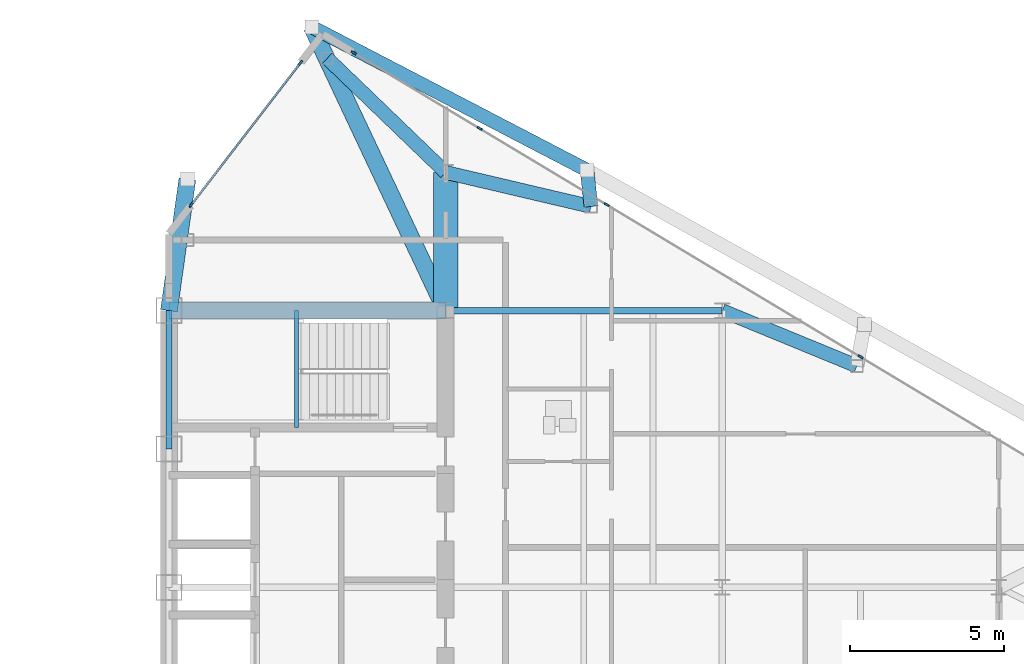
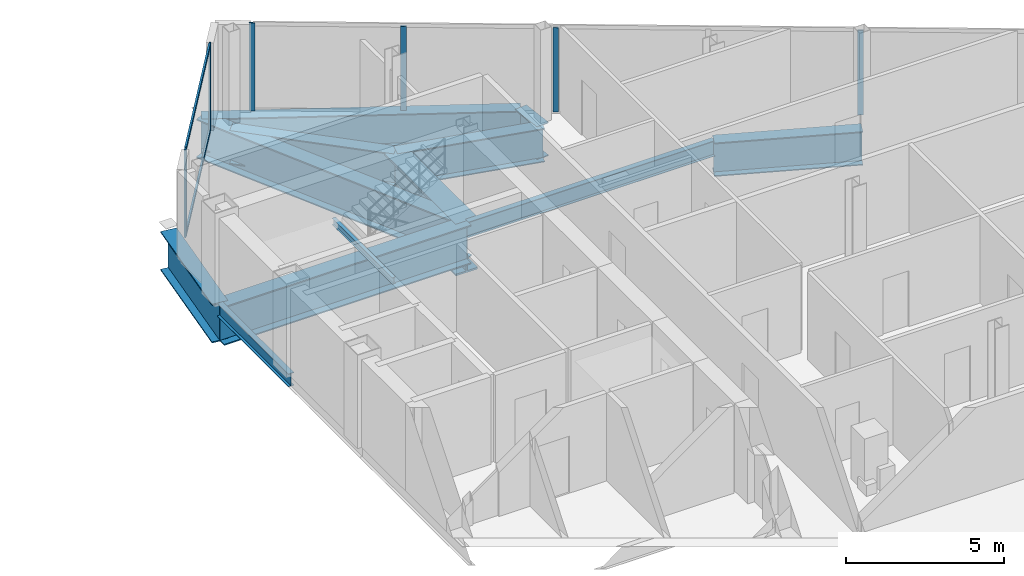
# One storey, part 17 of 29: 12 beams, 8 members, 2 elements without a shape of their own.
"""IFC4 building model written with IfcOpenShell, lengths in metres."""

from ifc_helpers import new_model, si_unit, direction, frame, origin, origin_2d, place, context, subcontext, project, spatial, rectangle, i_section, extrude, source, transform, mapped, material, layer, layer_set, material_profile, profile_set, type_object, type_shapes, element, aggregate, save


model = new_model("IFC4")

# Units and contexts
model_context = context("Model", 3, precision=1e-05, world=origin(), true_north=direction((0.0, 1.0)))
body_context = subcontext(model_context, "Body", "Model", "MODEL_VIEW")
ifc_project = project(units=[si_unit("LENGTHUNIT", "METRE"), si_unit("AREAUNIT", "SQUARE_METRE"), si_unit("VOLUMEUNIT", "CUBIC_METRE"), si_unit("PLANEANGLEUNIT", "RADIAN"), si_unit("MASSUNIT", "GRAM", prefix="KILO")], contexts=[model_context])

# Site, building, storey
site_placement = place(None, origin())
site = spatial("IfcSite", under=ifc_project, at=site_placement, CompositionType="ELEMENT")
building_placement = place(site_placement, origin())
building = spatial("IfcBuilding", under=site, at=building_placement, Name="Seokmaru Belvedere", CompositionType="ELEMENT")
storey_placement = place(building_placement, frame((0.0, 0.0, 195.89990234375)))
storey = spatial("IfcBuildingStorey", under=building, at=storey_placement, Name="L52", CompositionType="ELEMENT", Elevation=195.89990234375)

# Beams
ifc_material_1 = material(Name="Steel SM355 (355 MPa)", Category="steel")
ifc_material_profile_1 = material_profile(ifc_material_1, i_section(OverallWidth=0.199951171875, OverallDepth=0.5, WebThickness=0.010009765625, FlangeThickness=0.01611328125, at=origin_2d()), Name="H-500x200x10x16")
ifc_profile_set_1 = profile_set([ifc_material_profile_1], Name="Steel SM355 (355 MPa)")
beam_type_1 = type_object("IfcBeamType", Name="Perimeter Spandrel Beam H-500", PredefinedType="SPANDREL", material=ifc_profile_set_1)
shared_shape_1 = source(origin(), body_context, "Body", "SweptSolid", [
    extrude(i_section(OverallWidth=0.199951171875, OverallDepth=0.5, WebThickness=0.010009765625, FlangeThickness=0.01611328125, at=origin_2d()), origin(), (0.0, 0.0, 1.0), 4.5),
])
type_shapes(beam_type_1, [shared_shape_1])
beam_1_placement = place(storey_placement, frame((27.5, 9.0, -0.469970703125), z_axis=(0.0, 1.0, 0.0), x_axis=(-1.0, 0.0, 0.0)))
element("IfcBeam", 1, at=beam_1_placement, inside=storey, type_object=beam_type_1, Name="L52 E Portal Spine Spandrel 5", PredefinedType="SPANDREL", context=body_context, shape_type="MappedRepresentation", body=[
    mapped(shared_shape_1, transform((0.0, 0.0, 0.0), scale=1.0)),
])
ifc_material_2 = material(Name="Steel HSA650 (650 MPa)", Category="steel")
ifc_material_profile_2 = material_profile(ifc_material_2, i_section(OverallWidth=0.800048828125, OverallDepth=2.0, WebThickness=0.0400390625, FlangeThickness=0.070068359375, at=origin_2d()), Name="BH-2000x800x40x70")
ifc_profile_set_2 = profile_set([ifc_material_profile_2], Name="Steel HSA650 (650 MPa)")
beam_type_2 = type_object("IfcBeamType", Name="Sky-Gate Transfer Truss Chord Girder BH-2000", PredefinedType="BEAM", material=ifc_profile_set_2)
shared_shape_2 = source(origin(), body_context, "Body", "SweptSolid", [
    extrude(i_section(OverallWidth=0.800048828125, OverallDepth=2.0, WebThickness=0.0400390625, FlangeThickness=0.070068359375, at=origin_2d()), origin(), (0.0, 0.0, 1.0), 4.5),
])
type_shapes(beam_type_2, [shared_shape_2])
beam_2_placement = place(storey_placement, frame((36.5, 13.5, -1.219970703125), z_axis=(0.0, 1.0, 0.0), x_axis=(-1.0, 0.0, 0.0)))
element("IfcBeam", 2, at=beam_2_placement, inside=storey, type_object=beam_type_2, Name="L52 E Core Shoulder Girder N", PredefinedType="BEAM", context=body_context, shape_type="MappedRepresentation", body=[
    mapped(shared_shape_2, transform((0.0, 0.0, 0.0), scale=1.0)),
])
ifc_material_profile_3 = material_profile(ifc_material_2, i_section(OverallWidth=0.550048828125, OverallDepth=1.5, WebThickness=0.028076171875, FlangeThickness=0.044921875, at=origin_2d()), Name="BH-1500x550x28x45")
ifc_profile_set_3 = profile_set([ifc_material_profile_3], Name="Steel HSA650 (650 MPa)")
beam_type_3 = type_object("IfcBeamType", Name="Setback Transfer Girder BH-1500", PredefinedType="BEAM", material=ifc_profile_set_3)
shared_shape_3 = source(origin(), body_context, "Body", "SweptSolid", [
    extrude(i_section(OverallWidth=0.550048828125, OverallDepth=1.5, WebThickness=0.028076171875, FlangeThickness=0.044921875, at=origin_2d()), origin(), (0.0, 0.0, 1.0), 9.0),
])
beam_3_placement = place(storey_placement, frame((27.5, 13.5, -0.969970703125), z_axis=(1.0, 0.0, 0.0), x_axis=(0.0, 1.0, 0.0)))
element("IfcBeam", 3, at=beam_3_placement, inside=storey, type_object=beam_type_3, Name="L52 E Core Transfer Header 4", PredefinedType="BEAM", context=body_context, shape_type="MappedRepresentation", body=[
    mapped(shared_shape_3, transform((0.0, 0.0, 0.0), scale=1.0)),
])
ifc_material_profile_4 = material_profile(ifc_material_1, i_section(OverallWidth=0.199951171875, OverallDepth=0.60009765625, WebThickness=0.010986328125, FlangeThickness=0.01708984375, at=origin_2d()), Name="H-600x200x11x17")
ifc_profile_set_4 = profile_set([ifc_material_profile_4], Name="Steel SM355 (355 MPa)")
beam_type_4 = type_object("IfcBeamType", Name="Primary Floor Girder H-600", PredefinedType="BEAM", material=ifc_profile_set_4)
shared_shape_4 = source(origin(), body_context, "Body", "SweptSolid", [
    extrude(i_section(OverallWidth=0.199951171875, OverallDepth=0.60009765625, WebThickness=0.010986328125, FlangeThickness=0.01708984375, at=origin_2d()), origin(), (0.0, 0.0, 1.0), 9.0),
])
type_shapes(beam_type_4, [shared_shape_4])
beam_4_placement = place(storey_placement, frame((36.5, 13.5, -0.52001953125), z_axis=(1.0, 0.0, 0.0), x_axis=(0.0, 1.0, 0.0)))
element("IfcBeam", 4, at=beam_4_placement, inside=storey, type_object=beam_type_4, Name="L52 E Wing Primary Girder 4", PredefinedType="BEAM", context=body_context, shape_type="MappedRepresentation", body=[
    mapped(shared_shape_4, transform((0.0, 0.0, 0.0), scale=1.0)),
])
ifc_material_profile_5 = material_profile(ifc_material_2, i_section(OverallWidth=0.449951171875, OverallDepth=1.300048828125, WebThickness=0.02197265625, FlangeThickness=0.0380859375, at=origin_2d()), Name="BH-1300x450x22x38")
ifc_profile_set_5 = profile_set([ifc_material_profile_5], Name="Steel HSA650 (650 MPa)")
beam_type_5 = type_object("IfcBeamType", Name="Observatory Long-Span Roof Girder BH-1300", PredefinedType="BEAM", material=ifc_profile_set_5)
shared_shape_5 = source(origin(), body_context, "Body", "SweptSolid", [
    extrude(i_section(OverallWidth=0.449951171875, OverallDepth=1.300048828125, WebThickness=0.02197265625, FlangeThickness=0.0380859375, at=origin_2d()), origin(), (0.0, 0.0, 1.0), 10.09716796875),
])
beam_5_placement = place(storey_placement, frame((32.146728515625, 22.731689453125, -0.869873046875), z_axis=(0.887085728914, -0.461604711369, 0.0), x_axis=(0.461604711369, 0.887085728914, 0.0)))
element("IfcBeam", 5, at=beam_5_placement, inside=storey, type_object=beam_type_5, Name="L52 E Faceted Flank Spandrel N-1", PredefinedType="BEAM", context=body_context, shape_type="MappedRepresentation", body=[
    mapped(shared_shape_5, transform((0.0, 0.0, 0.0), scale=1.0)),
])
shared_shape_6 = source(origin(), body_context, "Body", "SweptSolid", [
    extrude(i_section(OverallWidth=0.550048828125, OverallDepth=1.5, WebThickness=0.028076171875, FlangeThickness=0.044921875, at=origin_2d()), origin(), (0.0, 0.0, 1.0), 4.32763671875),
])
beam_6_placement = place(storey_placement, frame((28.10009765625, 17.785888671875, -0.969970703125), z_axis=(-0.138664443237, -0.990339422714, 0.0), x_axis=(0.990339422714, -0.138664443237, 0.0)))
element("IfcBeam", 6, at=beam_6_placement, inside=storey, type_object=beam_type_3, Name="L52 E Setback Transfer Girder 5", PredefinedType="BEAM", context=body_context, shape_type="MappedRepresentation", body=[
    mapped(shared_shape_6, transform((0.0, 0.0, 0.0), scale=1.0)),
])
shared_shape_7 = source(origin(), body_context, "Body", "SweptSolid", [
    extrude(i_section(OverallWidth=0.550048828125, OverallDepth=1.5, WebThickness=0.028076171875, FlangeThickness=0.044921875, at=origin_2d()), origin(), (0.0, 0.0, 1.0), 10.20654296875),
])
type_shapes(beam_type_3, [shared_shape_3, shared_shape_6, shared_shape_7])
beam_7_placement = place(storey_placement, frame((32.146728515625, 22.731689453125, -0.969970703125), z_axis=(0.426514565186, -0.904480693926, 0.0), x_axis=(0.904480693926, 0.426514565186, 0.0)))
element("IfcBeam", 7, at=beam_7_placement, inside=storey, type_object=beam_type_3, Name="L52 E Setback Transfer Girder 4", PredefinedType="BEAM", context=body_context, shape_type="MappedRepresentation", body=[
    mapped(shared_shape_7, transform((0.0, 0.0, 0.0), scale=1.0)),
])
shared_shape_8 = source(origin(), body_context, "Body", "SweptSolid", [
    extrude(i_section(OverallWidth=0.449951171875, OverallDepth=1.300048828125, WebThickness=0.02197265625, FlangeThickness=0.0380859375, at=origin_2d()), origin(), (0.0, 0.0, 1.0), 5.34716796875),
])
beam_8_placement = place(storey_placement, frame((32.649658203125, 21.71044921875, -0.869873046875), z_axis=(0.72006669236, -0.693904862754, 0.0), x_axis=(0.693904862754, 0.72006669236, 0.0)))
element("IfcBeam", 8, at=beam_8_placement, inside=storey, type_object=beam_type_5, Name="L52 E Shoulder Sanity Tie Girder 4", PredefinedType="BEAM", context=body_context, shape_type="MappedRepresentation", body=[
    mapped(shared_shape_8, transform((0.0, 0.0, 0.0), scale=1.0)),
])
shared_shape_9 = source(origin(), body_context, "Body", "SweptSolid", [
    extrude(i_section(OverallWidth=0.449951171875, OverallDepth=1.300048828125, WebThickness=0.02197265625, FlangeThickness=0.0380859375, at=origin_2d()), origin(), (0.0, 0.0, 1.0), 1.1884765625),
])
beam_9_placement = place(storey_placement, frame((41.103759765625, 18.07080078125, -0.869873046875), z_axis=(0.105989159107, -0.994367285339, 0.0), x_axis=(0.994367285339, 0.105989159107, 0.0)))
element("IfcBeam", 9, at=beam_9_placement, inside=storey, type_object=beam_type_5, Name="L52 E Flank Setback Step Girder N-1", PredefinedType="BEAM", context=body_context, shape_type="MappedRepresentation", body=[
    mapped(shared_shape_9, transform((0.0, 0.0, 0.0), scale=1.0)),
])
shared_shape_10 = source(origin(), body_context, "Body", "SweptSolid", [
    extrude(i_section(OverallWidth=0.449951171875, OverallDepth=1.300048828125, WebThickness=0.02197265625, FlangeThickness=0.0380859375, at=origin_2d()), origin(), (0.0, 0.0, 1.0), 4.8583984375),
])
beam_10_placement = place(storey_placement, frame((41.229736328125, 16.888916015625, -0.869873046875), z_axis=(-0.97349948295, 0.228689214211, 0.0), x_axis=(-0.228689214211, -0.97349948295, 0.0)))
element("IfcBeam", 10, at=beam_10_placement, inside=storey, type_object=beam_type_5, Name="L52 E Flank Setback Back-Span Girder N-1", PredefinedType="BEAM", context=body_context, shape_type="MappedRepresentation", body=[
    mapped(shared_shape_10, transform((0.0, 0.0, 0.0), scale=1.0)),
])
shared_shape_11 = source(origin(), body_context, "Body", "SweptSolid", [
    extrude(i_section(OverallWidth=0.449951171875, OverallDepth=1.300048828125, WebThickness=0.02197265625, FlangeThickness=0.0380859375, at=origin_2d()), origin(), (0.0, 0.0, 1.0), 4.73583984375),
])
type_shapes(beam_type_5, [shared_shape_5, shared_shape_8, shared_shape_9, shared_shape_10, shared_shape_11])
beam_11_placement = place(storey_placement, frame((49.8798828125, 11.698974609375, -0.869873046875), z_axis=(-0.924860562953, 0.380306375301, 0.0), x_axis=(-0.380306375301, -0.924860562953, 0.0)))
element("IfcBeam", 11, at=beam_11_placement, inside=storey, type_object=beam_type_5, Name="L52 E Flank Setback Back-Span Girder N-2", PredefinedType="BEAM", context=body_context, shape_type="MappedRepresentation", body=[
    mapped(shared_shape_11, transform((0.0, 0.0, 0.0), scale=1.0)),
])

# Curtain wall, members
ifc_material_3 = material(Name="Bronze Triple Insulating Glass", Category="glass")
ifc_layer = layer(ifc_material_3, 0.179931640625)
ifc_layer_set = layer_set([ifc_layer], Name="Bronze Triple Insulating Glass")
curtain_wall_type = type_object("IfcCurtainWallType", Name="High-Rise Wind-Corner Curtain Wall System CW-5", PredefinedType="NOTDEFINED", material=ifc_layer_set)
curtain_wall_1_placement = place(storey_placement, origin())
curtain_wall_1 = element("IfcCurtainWall", 12, at=curtain_wall_1_placement, inside=storey, type_object=curtain_wall_type, Name="L52 Curtain Wall EF3", PredefinedType="NOTDEFINED")
ifc_material_4 = material(Name="Anodised Bronze Aluminium", Category="aluminium")
ifc_material_profile_6 = material_profile(ifc_material_4, rectangle(XDim=0.06494140625, YDim=0.179931640625, at=origin_2d()), Name="CW-M-65x180")
ifc_profile_set_6 = profile_set([ifc_material_profile_6], Name="Anodised Bronze Aluminium")
member_type_1 = type_object("IfcMemberType", Name="Bronze Unitised Mullion 65x180", PredefinedType="MULLION", material=ifc_profile_set_6)
shared_shape_12 = source(origin(), body_context, "Body", "SweptSolid", [
    extrude(rectangle(XDim=0.06494140625, YDim=0.179931640625, at=origin_2d()), origin(), (0.0, 0.0, 1.0), 3.25),
])
member_1_placement = place(storey_placement, frame((50.0, 12.0, 0.065185546875), z_axis=(0.0, 0.0, 1.0), x_axis=(-0.514494909364, -0.85749343335, 0.0)))
member_1 = element("IfcMember", 13, at=member_1_placement, type_object=member_type_1, Name="CW:L52:EF3 Mullion 5", PredefinedType="MULLION", context=body_context, shape_type="MappedRepresentation", body=[
    mapped(shared_shape_12, transform((0.0, 0.0, 0.0), scale=1.0)),
])
member_2_placement = place(storey_placement, frame((41.742919921875, 16.9541015625, 0.065185546875), z_axis=(0.0, 0.0, 1.0), x_axis=(-0.514494909364, -0.85749343335, 0.0)))
member_2 = element("IfcMember", 14, at=member_2_placement, type_object=member_type_1, Name="CW:L52:EF3 Mullion 7", PredefinedType="MULLION", context=body_context, shape_type="MappedRepresentation", body=[
    mapped(shared_shape_12, transform((0.0, 0.0, 0.0), scale=1.0)),
])
member_3_placement = place(storey_placement, frame((37.614501953125, 19.43115234375, 0.065185546875), z_axis=(0.0, 0.0, 1.0), x_axis=(-0.514494909364, -0.85749343335, 0.0)))
member_3 = element("IfcMember", 15, at=member_3_placement, type_object=member_type_1, Name="CW:L52:EF3 Mullion 8", PredefinedType="MULLION", context=body_context, shape_type="MappedRepresentation", body=[
    mapped(shared_shape_12, transform((0.0, 0.0, 0.0), scale=1.0)),
])
shared_shape_13 = source(origin(), body_context, "Body", "SweptSolid", [
    extrude(rectangle(XDim=0.06494140625, YDim=0.179931640625, at=origin_2d()), origin(), (0.0, 0.0, 1.0), 3.380126953125),
])
type_shapes(member_type_1, [shared_shape_12, shared_shape_13])
member_4_placement = place(storey_placement, frame((33.513916015625, 21.8916015625, 0.0), z_axis=(0.0, 0.0, 1.0), x_axis=(-0.514494909364, -0.85749343335, 0.0)))
member_4 = element("IfcMember", 16, at=member_4_placement, type_object=member_type_1, Name="CW:L52:EF3 Mullion 9", PredefinedType="MULLION", context=body_context, shape_type="MappedRepresentation", body=[
    mapped(shared_shape_13, transform((0.0, 0.0, 0.0), scale=1.0)),
])
aggregate(curtain_wall_1, [member_1, member_2, member_3, member_4])

curtain_wall_2_placement = place(storey_placement, origin())
curtain_wall_2 = element("IfcCurtainWall", 17, at=curtain_wall_2_placement, inside=storey, type_object=curtain_wall_type, Name="L52 Curtain Wall EF4", PredefinedType="NOTDEFINED")
member_5_placement = place(storey_placement, frame((31.779052734375, 21.562744140625, 0.0), z_axis=(0.0, 0.0, 1.0), x_axis=(0.792631353244, -0.609701187349, 0.0)))
member_5 = element("IfcMember", 18, at=member_5_placement, type_object=member_type_1, Name="CW:L52:EF4 Mullion 1", PredefinedType="MULLION", context=body_context, shape_type="MappedRepresentation", body=[
    mapped(shared_shape_13, transform((0.0, 0.0, 0.0), scale=1.0)),
])
member_6_placement = place(storey_placement, frame((28.220947265625, 16.937255859375, 0.0), z_axis=(0.0, 0.0, 1.0), x_axis=(0.792631353244, -0.609701187349, 0.0)))
member_6 = element("IfcMember", 19, at=member_6_placement, type_object=member_type_1, Name="CW:L52:EF4 Mullion 2", PredefinedType="MULLION", context=body_context, shape_type="MappedRepresentation", body=[
    mapped(shared_shape_13, transform((0.0, 0.0, 0.0), scale=1.0)),
])
ifc_material_profile_7 = material_profile(ifc_material_4, rectangle(XDim=0.06494140625, YDim=0.14990234375, at=origin_2d()), Name="CW-T-65x150")
ifc_profile_set_7 = profile_set([ifc_material_profile_7], Name="Anodised Bronze Aluminium")
member_type_2 = type_object("IfcMemberType", Name="Bronze Unitised Transom 65x150", PredefinedType="USERDEFINED", material=ifc_profile_set_7)
shared_shape_14 = source(origin(), body_context, "Body", "SweptSolid", [
    extrude(rectangle(XDim=0.06494140625, YDim=0.14990234375, at=origin_2d()), origin(), (0.0, 0.0, 1.0), 5.77099609375),
])
type_shapes(member_type_2, [shared_shape_14])
member_7_placement = place(storey_placement, frame((31.75927734375, 21.537109375, 0.03271484375), z_axis=(-0.60970258286, -0.792630279799, 0.0), x_axis=(0.792630279799, -0.60970258286, 0.0)))
member_7 = element("IfcMember", 20, at=member_7_placement, type_object=member_type_2, Name="CW:L52:EF4 Continuous Transom 1", ObjectType="TRANSOM", PredefinedType="USERDEFINED", context=body_context, shape_type="MappedRepresentation", body=[
    mapped(shared_shape_14, transform((0.0, 0.0, 0.0), scale=1.0)),
])
member_8_placement = place(storey_placement, frame((31.75927734375, 21.537109375, 3.34765625), z_axis=(-0.60970258286, -0.792630279799, 0.0), x_axis=(0.792630279799, -0.60970258286, 0.0)))
member_8 = element("IfcMember", 21, at=member_8_placement, type_object=member_type_2, Name="CW:L52:EF4 Continuous Transom 2", ObjectType="TRANSOM", PredefinedType="USERDEFINED", context=body_context, shape_type="MappedRepresentation", body=[
    mapped(shared_shape_14, transform((0.0, 0.0, 0.0), scale=1.0)),
])
aggregate(curtain_wall_2, [member_5, member_6, member_7, member_8])

# Beam
ifc_material_profile_8 = material_profile(ifc_material_1, i_section(OverallWidth=0.125, OverallDepth=0.25, WebThickness=0.006103515625, FlangeThickness=0.009033203125, at=origin_2d()), Name="H-250x125x6x9")
ifc_profile_set_8 = profile_set([ifc_material_profile_8], Name="Steel SM355 (355 MPa)")
beam_type_6 = type_object("IfcBeamType", Name="Stair Mid-Landing Support Beam H-250", PredefinedType="JOIST", material=ifc_profile_set_8)
shared_shape_15 = source(origin(), body_context, "Body", "SweptSolid", [
    extrude(i_section(OverallWidth=0.125, OverallDepth=0.25, WebThickness=0.006103515625, FlangeThickness=0.009033203125, at=origin_2d()), origin(), (0.0, 0.0, 1.0), 3.800048828125),
])
type_shapes(beam_type_6, [shared_shape_15])
beam_12_placement = place(storey_placement, frame((31.64990234375, 9.699951171875, 1.47509765625), z_axis=(0.0, 1.0, 0.0), x_axis=(-1.0, 0.0, 0.0)))
element("IfcBeam", 22, at=beam_12_placement, inside=storey, type_object=beam_type_6, Name="L52 Stair ST-E2 Mid-Landing Support Beam 1", PredefinedType="JOIST", context=body_context, shape_type="MappedRepresentation", body=[
    mapped(shared_shape_15, transform((0.0, 0.0, 0.0), scale=1.0)),
])

save(model, "model.ifc")
